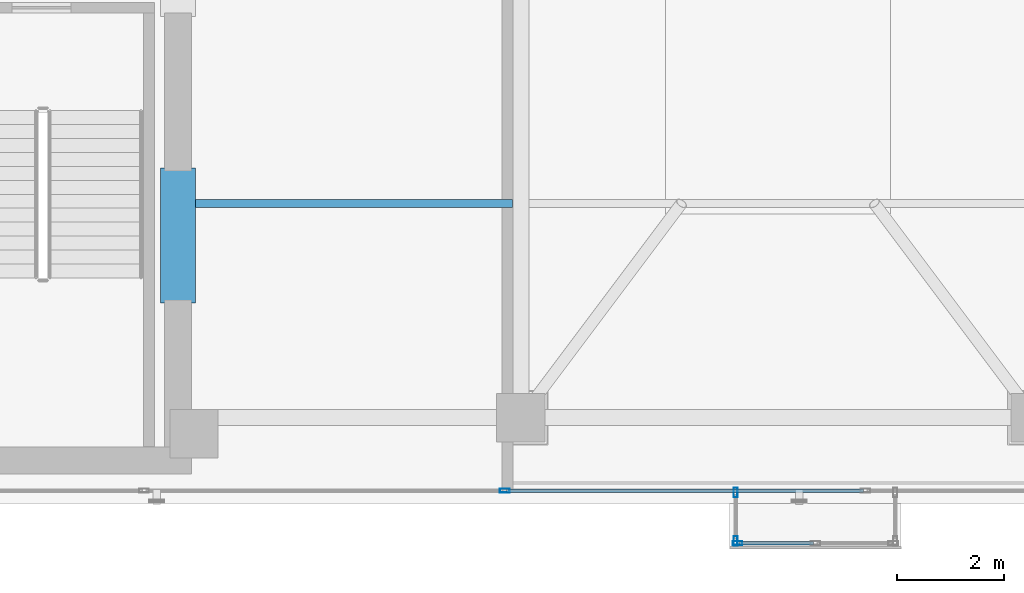
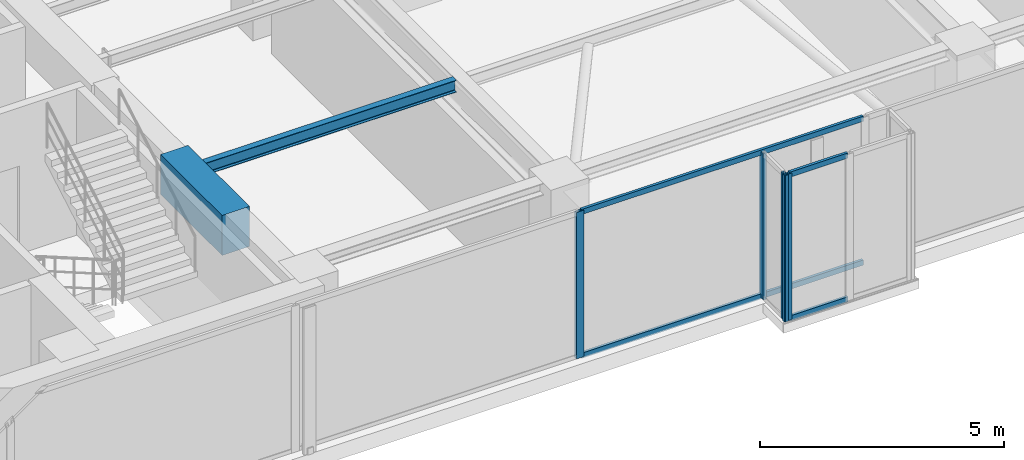
# One storey, part 6 of 31: 8 members, 2 beams, 3 elements without a shape of their own.
"""IFC4 building model written with IfcOpenShell, lengths in metres."""

from ifc_helpers import new_model, si_unit, direction, frame, origin, origin_with_axes, origin_2d, place, context, subcontext, project, spatial, rectangle, hollow_rectangle, i_section, extrude, source, transform, mapped, material, layer, layer_set, material_profile, profile_set, type_object, element, aggregate, save


model = new_model("IFC4")

# Units and contexts
model_context = context("Model", 3, precision=1e-05, world=origin(), true_north=direction((0.0, 1.0)))
body_context = subcontext(model_context, "Body", "Model", "MODEL_VIEW")
ifc_project = project(units=[si_unit("LENGTHUNIT", "METRE"), si_unit("AREAUNIT", "SQUARE_METRE"), si_unit("VOLUMEUNIT", "CUBIC_METRE"), si_unit("PLANEANGLEUNIT", "RADIAN"), si_unit("MASSUNIT", "GRAM", prefix="KILO")], contexts=[model_context])

# Site, building, storey
site_placement = place(None, origin())
site = spatial("IfcSite", under=ifc_project, at=site_placement, CompositionType="ELEMENT")
building_placement = place(site_placement, origin())
building = spatial("IfcBuilding", under=site, at=building_placement, Name="Kolvaren Waterfront Exchange", CompositionType="ELEMENT")
storey_placement = place(building_placement, frame((0.0, 0.0, 344.199951171875)))
storey = spatial("IfcBuildingStorey", under=building, at=storey_placement, Name="L88", CompositionType="ELEMENT", Elevation=344.199951171875)

# Beams
ifc_material_1 = material(Name="Steel S355", Category="steel")
ifc_material_profile_1 = material_profile(ifc_material_1, i_section(OverallWidth=0.14990234375, OverallDepth=0.300048828125, WebThickness=0.007080078125, FlangeThickness=0.0107421875, FilletRadius=0.014892578125, at=origin_2d()), Name="IPE300")
ifc_profile_set_1 = profile_set([ifc_material_profile_1], Name="Steel S355")
beam_type_1 = type_object("IfcBeamType", Name="STR-BM-IPE300", PredefinedType="JOIST", material=ifc_profile_set_1)
beam_1_placement = place(storey_placement, frame((21.10009765625, 9.199951171875, 3.510009765625), z_axis=(1.0, 0.0, 0.0), x_axis=(0.0, 1.0, 0.0)))
element("IfcBeam", 1, at=beam_1_placement, inside=storey, type_object=beam_type_1, Name="L88 east-arm composite joist 1B", PredefinedType="JOIST", context=body_context, shape_type="SweptSolid", body=[
    extrude(i_section(OverallWidth=0.14990234375, OverallDepth=0.300048828125, WebThickness=0.007080078125, FlangeThickness=0.0107421875, FilletRadius=0.014892578125, at=origin_2d()), origin(), (0.0, 0.0, 1.0), 5.947998046875),
])
ifc_material_2 = material(Name="Concrete C60/75", Category="concrete")
ifc_material_profile_2 = material_profile(ifc_material_2, rectangle(XDim=0.64990234375, YDim=1.0, at=origin_2d()), Name="RC-CB-1000x650")
ifc_profile_set_2 = profile_set([ifc_material_profile_2], Name="Concrete C60/75")
beam_type_2 = type_object("IfcBeamType", Name="STR-CB-1000", PredefinedType="SPANDREL", material=ifc_profile_set_2)
beam_2_placement = place(storey_placement, frame((20.800048828125, 7.340087890625, 3.16015625), z_axis=(0.0, 1.0, 0.0), x_axis=(-1.0, 0.0, 0.0)))
element("IfcBeam", 2, at=beam_2_placement, inside=storey, type_object=beam_type_2, Name="L88 core coupling beam 1", PredefinedType="SPANDREL", context=body_context, shape_type="SweptSolid", body=[
    extrude(rectangle(XDim=0.64990234375, YDim=1.0, at=origin_2d()), origin(), (0.0, 0.0, 1.0), 2.52001953125),
])

# Curtain wall, members
ifc_material_3 = material(Name="Anodised bronze aluminium 6063-T6", Category="aluminium")
ifc_layer_1 = layer(ifc_material_3, 0.219970703125, Name="Anodised bronze aluminium 6063-T6")
ifc_layer_set_1 = layer_set([ifc_layer_1], Name="Anodised bronze aluminium 6063-T6")
curtain_wall_type_1 = type_object("IfcCurtainWallType", Name="ARC-CW-SYS3", PredefinedType="USERDEFINED", material=ifc_layer_set_1)
curtain_wall_1_placement = place(storey_placement, origin())
curtain_wall_1 = element("IfcCurtainWall", 3, at=curtain_wall_1_placement, inside=storey, type_object=curtain_wall_type_1, Name="L88 stick curtain wall CW3 (CW-L88-BOX)", ObjectType="STICK CURTAIN WALL", PredefinedType="USERDEFINED")
ifc_material_profile_3 = material_profile(ifc_material_3, hollow_rectangle(XDim=0.06494140625, YDim=0.1298828125, WallThickness=0.00390625, at=origin_2d()), Name="ALU-TRN-130x65x4")
ifc_profile_set_3 = profile_set([ifc_material_profile_3], Name="Anodised bronze aluminium 6063-T6")
member_type_1 = type_object("IfcMemberType", Name="ARC-CWT-130", PredefinedType="USERDEFINED", material=ifc_profile_set_3)
shared_shape_1 = source(origin_with_axes(), body_context, "Body", "SweptSolid", [
    extrude(hollow_rectangle(XDim=0.06494140625, YDim=0.1298828125, WallThickness=0.00390625, at=origin_2d()), origin(), (0.0, 0.0, 1.0), 1.377685546875),
])
member_1_placement = place(storey_placement, frame((31.284912109375, 2.860107421875, 0.032470703125), z_axis=(1.0, 0.0, 0.0), x_axis=(0.0, 1.0, 0.0)))
member_1 = element("IfcMember", 4, at=member_1_placement, type_object=member_type_1, Name="CW3 transom 1.1", ObjectType="TRANSOM", PredefinedType="USERDEFINED", context=body_context, shape_type="MappedRepresentation", body=[
    mapped(shared_shape_1, transform((0.0, 0.0, 0.0), x_axis=(1.0, 0.0, 0.0), y_axis=(0.0, 1.0, 0.0), z_axis=(0.0, 0.0, 1.0), scale=1.0)),
])
member_2_placement = place(storey_placement, frame((31.284912109375, 2.860107421875, 3.62744140625), z_axis=(1.0, 0.0, 0.0), x_axis=(0.0, 1.0, 0.0)))
member_2 = element("IfcMember", 5, at=member_2_placement, type_object=member_type_1, Name="CW3 transom 1.2", ObjectType="TRANSOM", PredefinedType="USERDEFINED", context=body_context, shape_type="MappedRepresentation", body=[
    mapped(shared_shape_1, transform((0.0, 0.0, 0.0), x_axis=(1.0, 0.0, 0.0), y_axis=(0.0, 1.0, 0.0), z_axis=(0.0, 0.0, 1.0), scale=1.0)),
])

curtain_wall_2_placement = place(storey_placement, origin())
curtain_wall_2 = element("IfcCurtainWall", 6, at=curtain_wall_2_placement, inside=storey, type_object=curtain_wall_type_1, Name="L88 stick curtain wall CW3 (CW-L88-BOX-W)", ObjectType="STICK CURTAIN WALL", PredefinedType="USERDEFINED")
ifc_material_profile_4 = material_profile(ifc_material_3, hollow_rectangle(XDim=0.074951171875, YDim=0.179931640625, WallThickness=0.00439453125, at=origin_2d()), Name="ALU-MUL-180x75x4.5")
ifc_profile_set_4 = profile_set([ifc_material_profile_4], Name="Anodised bronze aluminium 6063-T6")
member_type_2 = type_object("IfcMemberType", Name="ARC-CWM-180", PredefinedType="MULLION", material=ifc_profile_set_4)
shared_shape_2 = source(origin_with_axes(), body_context, "Body", "SweptSolid", [
    extrude(hollow_rectangle(XDim=0.074951171875, YDim=0.179931640625, WallThickness=0.00439453125, at=origin_2d()), origin(), (0.0, 0.0, 1.0), 3.66015625),
])
member_3_placement = place(storey_placement, frame((31.2099609375, 3.802490234375, 0.0), z_axis=(0.0, 0.0, 1.0), x_axis=(1.0, 0.0, 0.0)))
member_3 = element("IfcMember", 7, at=member_3_placement, type_object=member_type_2, Name="CW3 mullion 1", PredefinedType="MULLION", context=body_context, shape_type="MappedRepresentation", body=[
    mapped(shared_shape_2, transform((0.0, 0.0, 0.0), x_axis=(1.0, 0.0, 0.0), y_axis=(0.0, 1.0, 0.0), z_axis=(0.0, 0.0, 1.0), scale=1.0)),
])
member_4_placement = place(storey_placement, frame((31.2099609375, 2.8974609375, 0.0), z_axis=(0.0, 0.0, 1.0), x_axis=(1.0, 0.0, 0.0)))
member_4 = element("IfcMember", 8, at=member_4_placement, type_object=member_type_2, Name="CW3 mullion 2", PredefinedType="MULLION", context=body_context, shape_type="MappedRepresentation", body=[
    mapped(shared_shape_2, transform((0.0, 0.0, 0.0), x_axis=(1.0, 0.0, 0.0), y_axis=(0.0, 1.0, 0.0), z_axis=(0.0, 0.0, 1.0), scale=1.0)),
])
aggregate(curtain_wall_2, [member_3, member_4])

# Member
member_5_placement = place(storey_placement, frame((31.24755859375, 2.860107421875, 0.0), z_axis=(0.0, 0.0, 1.0), x_axis=(0.0, 1.0, 0.0)))
member_5 = element("IfcMember", 9, at=member_5_placement, type_object=member_type_2, Name="CW3 mullion 1", PredefinedType="MULLION", context=body_context, shape_type="MappedRepresentation", body=[
    mapped(shared_shape_2, transform((0.0, 0.0, 0.0), x_axis=(1.0, 0.0, 0.0), y_axis=(0.0, 1.0, 0.0), z_axis=(0.0, 0.0, 1.0), scale=1.0)),
])

aggregate(curtain_wall_1, [member_5, member_1, member_2])

# Curtain wall, members
ifc_layer_2 = layer(ifc_material_3, 0.219970703125, Name="Anodised bronze aluminium 6063-T6")
ifc_layer_set_2 = layer_set([ifc_layer_2], Name="Anodised bronze aluminium 6063-T6")
curtain_wall_type_2 = type_object("IfcCurtainWallType", Name="ARC-CW-SYS5", PredefinedType="USERDEFINED", material=ifc_layer_set_2)
curtain_wall_3_placement = place(storey_placement, origin())
curtain_wall_3 = element("IfcCurtainWall", 10, at=curtain_wall_3_placement, inside=storey, type_object=curtain_wall_type_2, Name="L88 stick curtain wall CW5 (CW-L88-S)", ObjectType="STICK CURTAIN WALL", PredefinedType="USERDEFINED")
member_6_placement = place(storey_placement, frame((26.89990234375, 3.840087890625, 0.0), z_axis=(0.0, 0.0, 1.0), x_axis=(0.0, 1.0, 0.0)))
member_6 = element("IfcMember", 11, at=member_6_placement, type_object=member_type_2, Name="CW5 mullion 4", PredefinedType="MULLION", context=body_context, shape_type="MappedRepresentation", body=[
    mapped(shared_shape_2, transform((0.0, 0.0, 0.0), x_axis=(1.0, 0.0, 0.0), y_axis=(0.0, 1.0, 0.0), z_axis=(0.0, 0.0, 1.0), scale=1.0)),
])
shared_shape_3 = source(origin_with_axes(), body_context, "Body", "SweptSolid", [
    extrude(hollow_rectangle(XDim=0.06494140625, YDim=0.1298828125, WallThickness=0.00390625, at=origin_2d()), origin(), (0.0, 0.0, 1.0), 6.658447265625),
])
member_7_placement = place(storey_placement, frame((26.9375, 3.840087890625, 0.032470703125), z_axis=(1.0, 0.0, 0.0), x_axis=(0.0, 1.0, 0.0)))
member_7 = element("IfcMember", 12, at=member_7_placement, type_object=member_type_1, Name="CW5 transom 4.1", ObjectType="TRANSOM", PredefinedType="USERDEFINED", context=body_context, shape_type="MappedRepresentation", body=[
    mapped(shared_shape_3, transform((0.0, 0.0, 0.0), x_axis=(1.0, 0.0, 0.0), y_axis=(0.0, 1.0, 0.0), z_axis=(0.0, 0.0, 1.0), scale=1.0)),
])
member_8_placement = place(storey_placement, frame((26.9375, 3.840087890625, 3.62744140625), z_axis=(1.0, 0.0, 0.0), x_axis=(0.0, 1.0, 0.0)))
member_8 = element("IfcMember", 13, at=member_8_placement, type_object=member_type_1, Name="CW5 transom 4.2", ObjectType="TRANSOM", PredefinedType="USERDEFINED", context=body_context, shape_type="MappedRepresentation", body=[
    mapped(shared_shape_3, transform((0.0, 0.0, 0.0), x_axis=(1.0, 0.0, 0.0), y_axis=(0.0, 1.0, 0.0), z_axis=(0.0, 0.0, 1.0), scale=1.0)),
])
aggregate(curtain_wall_3, [member_6, member_7, member_8])

save(model, "model.ifc")
